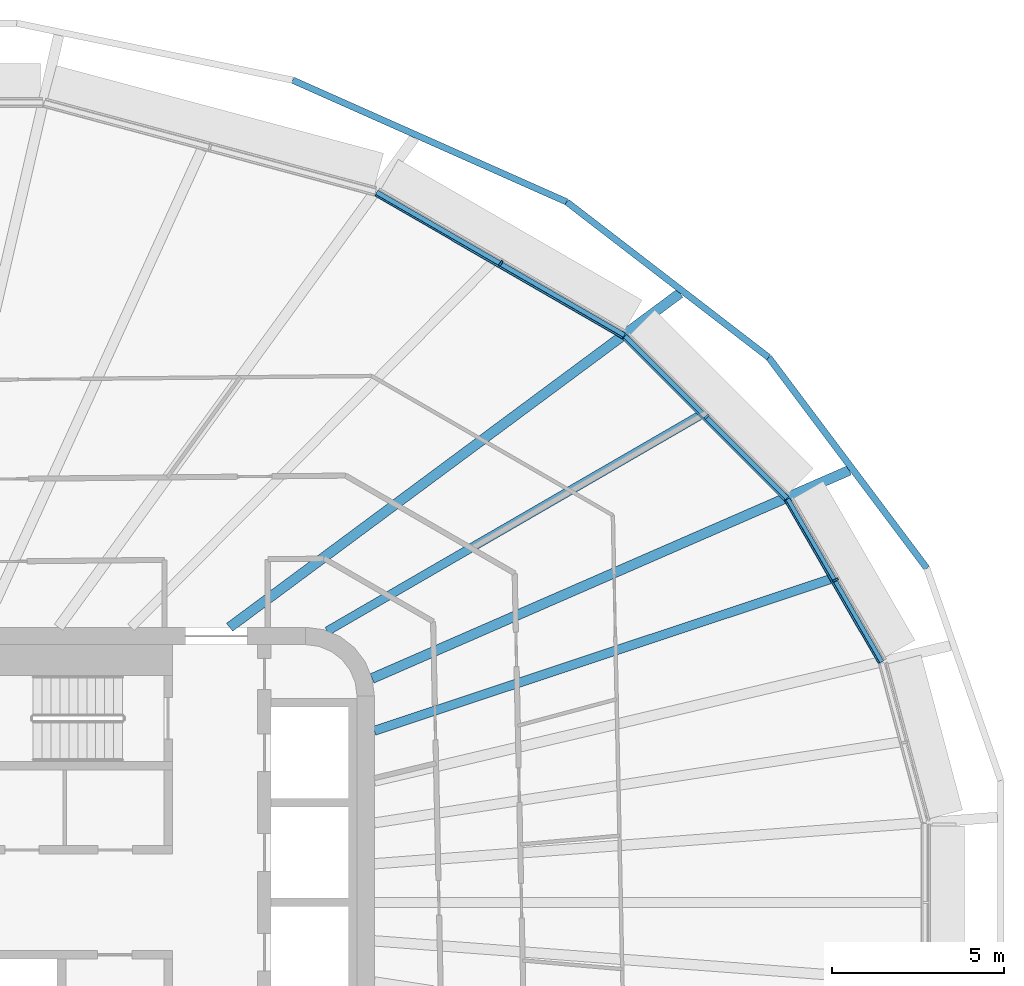
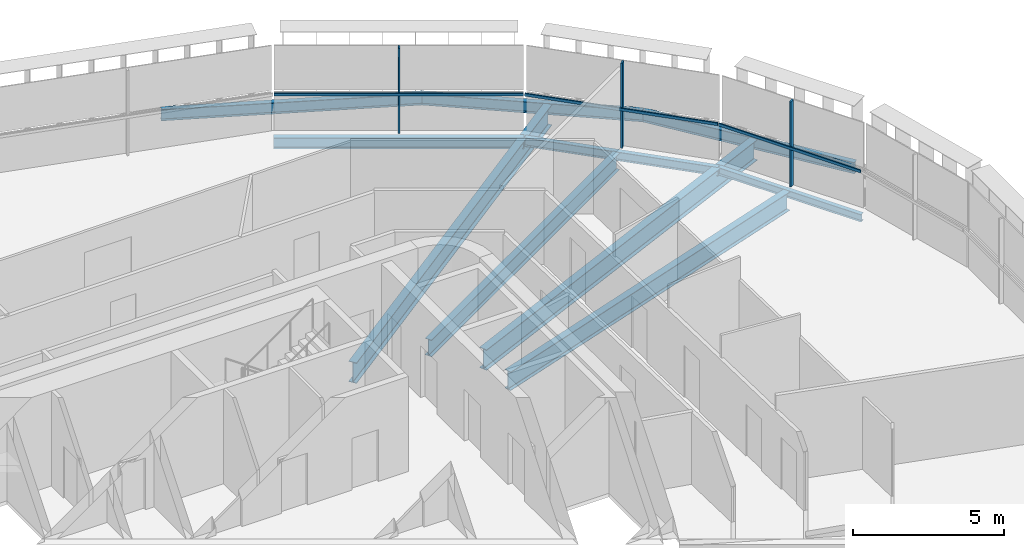
# One storey, part 7 of 23: 10 beams, 6 members, 3 elements without a shape of their own.
"""IFC4 building model written with IfcOpenShell, lengths in metres."""

from ifc_helpers import new_model, si_unit, direction, frame, origin, origin_2d, place, context, subcontext, project, spatial, rectangle, i_section, extrude, material, layer, layer_set, material_profile, profile_set, type_object, element, aggregate, save


model = new_model("IFC4")

# Units and contexts
model_context = context("Model", 3, precision=1e-05, world=origin(), true_north=direction((0.0, 1.0)))
body_context = subcontext(model_context, "Body", "Model", "MODEL_VIEW")
ifc_project = project(units=[si_unit("LENGTHUNIT", "METRE"), si_unit("AREAUNIT", "SQUARE_METRE"), si_unit("VOLUMEUNIT", "CUBIC_METRE"), si_unit("PLANEANGLEUNIT", "RADIAN"), si_unit("MASSUNIT", "GRAM", prefix="KILO")], contexts=[model_context])

# Site, building, storey
site_placement = place(None, origin())
site = spatial("IfcSite", under=ifc_project, at=site_placement, CompositionType="ELEMENT")
building_placement = place(site_placement, origin())
building = spatial("IfcBuilding", under=site, at=building_placement, Name="Sahrelin Media Tower", CompositionType="ELEMENT")
storey_placement = place(building_placement, frame((0.0, 0.0, 173.60009765625)))
storey = spatial("IfcBuildingStorey", under=building, at=storey_placement, Name="L36", CompositionType="ELEMENT", Elevation=173.60009765625)

# Beams
ifc_material_1 = material(Name="Steel S355", Category="steel")
ifc_material_profile_1 = material_profile(ifc_material_1, i_section(OverallWidth=0.1650390625, OverallDepth=0.303466796875, WebThickness=0.006103515625, FlangeThickness=0.01025390625, FilletRadius=0.0087890625, at=origin_2d()), Name="UB 305x165x40")
ifc_profile_set_1 = profile_set([ifc_material_profile_1], Name="Steel S355")
beam_type_1 = type_object("IfcBeamType", Name="Edge beam EB2", PredefinedType="BEAM", material=ifc_profile_set_1)
beam_1_placement = place(storey_placement, frame((27.007080078125, 11.720458984375, -0.3017578125), z_axis=(0.500022519152, -0.866012401956, 0.0), x_axis=(0.866012401956, 0.500022519152, 0.0)))
element("IfcBeam", 1, at=beam_1_placement, inside=storey, type_object=beam_type_1, Name="Edge beam L36-19", PredefinedType="BEAM", context=body_context, shape_type="SweptSolid", body=[
    extrude(i_section(OverallWidth=0.1650390625, OverallDepth=0.303466796875, WebThickness=0.006103515625, FlangeThickness=0.01025390625, FilletRadius=0.0087890625, at=origin_2d()), origin(), (0.0, 0.0, 1.0), 5.469970703125),
])
ifc_material_profile_2 = material_profile(ifc_material_1, i_section(OverallWidth=0.17138671875, OverallDepth=0.35498046875, WebThickness=0.00732421875, FlangeThickness=0.011474609375, FilletRadius=0.01025390625, at=origin_2d()), Name="UB 356x171x51")
ifc_profile_set_2 = profile_set([ifc_material_profile_2], Name="Steel S355")
beam_type_2 = type_object("IfcBeamType", Name="Edge beam EB3", PredefinedType="BEAM", material=ifc_profile_set_2)
beam_2_placement = place(storey_placement, frame((22.2802734375, 16.45263671875, -0.32763671875), z_axis=(0.707106781187, -0.707106781187, 0.0), x_axis=(0.707106781187, 0.707106781187, 0.0)))
element("IfcBeam", 2, at=beam_2_placement, inside=storey, type_object=beam_type_2, Name="Edge beam L36-18", PredefinedType="BEAM", context=body_context, shape_type="SweptSolid", body=[
    extrude(i_section(OverallWidth=0.17138671875, OverallDepth=0.35498046875, WebThickness=0.00732421875, FlangeThickness=0.011474609375, FilletRadius=0.01025390625, at=origin_2d()), origin(), (0.0, 0.0, 1.0), 6.659912109375),
])
ifc_material_profile_3 = material_profile(ifc_material_1, i_section(OverallWidth=0.1904296875, OverallDepth=0.45703125, WebThickness=0.009033203125, FlangeThickness=0.014404296875, FilletRadius=0.01025390625, at=origin_2d()), Name="UB 457x191x74")
ifc_profile_set_3 = profile_set([ifc_material_profile_3], Name="Steel S355")
beam_type_3 = type_object("IfcBeamType", Name="Edge beam EB5", PredefinedType="BEAM", material=ifc_profile_set_3)
beam_3_placement = place(storey_placement, frame((15.0546875, 20.628662109375, -0.378662109375), z_axis=(0.866025246697, -0.500000272083, 0.0), x_axis=(0.500000272083, 0.866025246697, 0.0)))
element("IfcBeam", 3, at=beam_3_placement, inside=storey, type_object=beam_type_3, Name="Edge beam L36-17", PredefinedType="BEAM", context=body_context, shape_type="SweptSolid", body=[
    extrude(i_section(OverallWidth=0.1904296875, OverallDepth=0.45703125, WebThickness=0.009033203125, FlangeThickness=0.014404296875, FilletRadius=0.01025390625, at=origin_2d()), origin(), (0.0, 0.0, 1.0), 8.31689453125),
])

# Curtain wall, member
ifc_material_2 = material(Name="Champagne anodised aluminium 6063-T6", Category="aluminium")
ifc_layer = layer(ifc_material_2, 0.14990234375)
ifc_layer_set = layer_set([ifc_layer], Name="Tower ribbon curtain wall")
curtain_wall_type = type_object("IfcCurtainWallType", Name="Tower ribbon curtain wall", PredefinedType="NOTDEFINED", material=ifc_layer_set)
curtain_wall_1_placement = place(storey_placement, frame((28.50439453125, 9.427001953125, 0.0), z_axis=(0.0, 0.0, 1.0), x_axis=(1.0, 0.0, 0.0)))
curtain_wall_1 = element("IfcCurtainWall", 4, at=curtain_wall_1_placement, inside=storey, type_object=curtain_wall_type, Name="L36:CW:L36-02", PredefinedType="NOTDEFINED")
ifc_material_profile_4 = material_profile(ifc_material_2, rectangle(XDim=0.06005859375, YDim=0.175048828125, at=origin_2d()), Name="Mullion 60x175")
ifc_profile_set_4 = profile_set([ifc_material_profile_4], Name="Champagne anodised aluminium 6063-T6")
member_type_1 = type_object("IfcMemberType", Name="Mullion 60x175 CW1B", PredefinedType="MULLION", material=ifc_profile_set_4)
member_1_placement = place(storey_placement, frame((28.411376953125, 9.373291015625, 0.0), z_axis=(0.0, 0.0, 1.0), x_axis=(-0.5, 0.866025403784, 0.0)))
member_1 = element("IfcMember", 5, at=member_1_placement, type_object=member_type_1, Name="L36:CWM:L36-02", PredefinedType="MULLION", context=body_context, shape_type="SweptSolid", body=[
    extrude(rectangle(XDim=0.06005859375, YDim=0.175048828125, at=origin_2d()), origin(), (0.0, 0.0, 1.0), 3.448486328125),
])

curtain_wall_2_placement = place(storey_placement, frame((24.740966796875, 14.2041015625, 0.0), z_axis=(0.0, 0.0, 1.0), x_axis=(1.0, 0.0, 0.0)))
curtain_wall_2 = element("IfcCurtainWall", 6, at=curtain_wall_2_placement, inside=storey, type_object=curtain_wall_type, Name="L36:CW:L36-03", PredefinedType="NOTDEFINED")
member_2_placement = place(storey_placement, frame((24.6650390625, 14.1279296875, 0.0), z_axis=(0.0, 0.0, 1.0), x_axis=(-0.707106781187, 0.707106781187, 0.0)))
member_2 = element("IfcMember", 7, at=member_2_placement, type_object=member_type_1, Name="L36:CWM:L36-03", PredefinedType="MULLION", context=body_context, shape_type="SweptSolid", body=[
    extrude(rectangle(XDim=0.06005859375, YDim=0.175048828125, at=origin_2d()), origin(), (0.0, 0.0, 1.0), 3.448486328125),
])

curtain_wall_3_placement = place(storey_placement, frame((18.73095703125, 18.67919921875, 0.0), z_axis=(0.0, 0.0, 1.0), x_axis=(1.0, 0.0, 0.0)))
curtain_wall_3 = element("IfcCurtainWall", 8, at=curtain_wall_3_placement, inside=storey, type_object=curtain_wall_type, Name="L36:CW:L36-04", PredefinedType="NOTDEFINED")
member_3_placement = place(storey_placement, frame((18.67724609375, 18.586181640625, 0.0), z_axis=(0.0, 0.0, 1.0), x_axis=(-0.866027149108, 0.499996976998, 0.0)))
member_3 = element("IfcMember", 9, at=member_3_placement, type_object=member_type_1, Name="L36:CWM:L36-04", PredefinedType="MULLION", context=body_context, shape_type="SweptSolid", body=[
    extrude(rectangle(XDim=0.06005859375, YDim=0.175048828125, at=origin_2d()), origin(), (0.0, 0.0, 1.0), 3.448486328125),
])

# Beams
ifc_material_profile_5 = material_profile(ifc_material_1, i_section(OverallWidth=0.291748046875, OverallDepth=0.8349609375, WebThickness=0.013916015625, FlangeThickness=0.018798828125, FilletRadius=0.017822265625, at=origin_2d()), Name="UB 838x292x176")
ifc_profile_set_5 = profile_set([ifc_material_profile_5], Name="Steel S355")
beam_type_4 = type_object("IfcBeamType", Name="Radial primary beam PB10", PredefinedType="BEAM", material=ifc_profile_set_5)
beam_4_placement = place(storey_placement, frame((14.932861328125, 6.510986328125, -0.567626953125), z_axis=(0.916643258443, 0.399706313124, 0.0), x_axis=(-0.399706313124, 0.916643258443, 0.0)))
element("IfcBeam", 10, at=beam_4_placement, inside=storey, type_object=beam_type_4, Name="Radial beam L36-03", PredefinedType="BEAM", context=body_context, shape_type="SweptSolid", body=[
    extrude(i_section(OverallWidth=0.291748046875, OverallDepth=0.8349609375, WebThickness=0.013916015625, FlangeThickness=0.018798828125, FilletRadius=0.017822265625, at=origin_2d()), origin(), (0.0, 0.0, 1.0), 15.142333984375),
])
beam_5_placement = place(storey_placement, frame((10.7880859375, 8.0, -0.567626953125), z_axis=(0.803237803341, 0.595658485446, 0.0), x_axis=(-0.595658485446, 0.803237803341, 0.0)))
element("IfcBeam", 11, at=beam_5_placement, inside=storey, type_object=beam_type_4, Name="Radial beam L36-04", PredefinedType="BEAM", context=body_context, shape_type="SweptSolid", body=[
    extrude(i_section(OverallWidth=0.291748046875, OverallDepth=0.8349609375, WebThickness=0.013916015625, FlangeThickness=0.018798828125, FilletRadius=0.017822265625, at=origin_2d()), origin(), (0.0, 0.0, 1.0), 16.309326171875),
])
ifc_material_profile_6 = material_profile(ifc_material_1, i_section(OverallWidth=0.2529296875, OverallDepth=0.677978515625, WebThickness=0.01171875, FlangeThickness=0.01611328125, FilletRadius=0.01513671875, at=origin_2d()), Name="UB 686x254x125")
ifc_profile_set_6 = profile_set([ifc_material_profile_6], Name="Steel S355")
beam_type_5 = type_object("IfcBeamType", Name="Radial secondary beam SB8", PredefinedType="BEAM", material=ifc_profile_set_6)
beam_6_placement = place(storey_placement, frame((13.627197265625, 7.886474609375, -0.489013671875), z_axis=(0.865516660441, 0.500880135859, 0.0), x_axis=(-0.500880135859, 0.865516660441, 0.0)))
element("IfcBeam", 12, at=beam_6_placement, inside=storey, type_object=beam_type_5, Name="Secondary beam L36-03", PredefinedType="BEAM", context=body_context, shape_type="SweptSolid", body=[
    extrude(i_section(OverallWidth=0.2529296875, OverallDepth=0.677978515625, WebThickness=0.01171875, FlangeThickness=0.01611328125, FilletRadius=0.01513671875, at=origin_2d()), origin(), (0.0, 0.0, 1.0), 12.51318359375),
])
ifc_material_profile_7 = material_profile(ifc_material_1, i_section(OverallWidth=0.26513671875, OverallDepth=0.75390625, WebThickness=0.0126953125, FlangeThickness=0.017578125, FilletRadius=0.0166015625, at=origin_2d()), Name="UB 762x267x147")
ifc_profile_set_7 = profile_set([ifc_material_profile_7], Name="Steel S355")
beam_type_6 = type_object("IfcBeamType", Name="Radial secondary beam SB9", PredefinedType="BEAM", material=ifc_profile_set_7)
beam_7_placement = place(storey_placement, frame((15.0, 4.98876953125, -0.527099609375), z_axis=(0.948901563502, 0.315572214848, 0.0), x_axis=(-0.315572214848, 0.948901563502, 0.0)))
element("IfcBeam", 13, at=beam_7_placement, inside=storey, type_object=beam_type_6, Name="Secondary beam L36-02", PredefinedType="BEAM", context=body_context, shape_type="SweptSolid", body=[
    extrude(i_section(OverallWidth=0.26513671875, OverallDepth=0.75390625, WebThickness=0.0126953125, FlangeThickness=0.017578125, FilletRadius=0.0166015625, at=origin_2d()), origin(), (0.0, 0.0, 1.0), 13.96728515625),
])
ifc_material_profile_8 = material_profile(ifc_material_1, i_section(OverallWidth=0.1904296875, OverallDepth=0.45703125, WebThickness=0.009033203125, FlangeThickness=0.014404296875, FilletRadius=0.01025390625, at=origin_2d()), Name="UB 457x191x74")
ifc_profile_set_8 = profile_set([ifc_material_profile_8], Name="Steel S355")
beam_type_7 = type_object("IfcBeamType", Name="Tie chord TC5", PredefinedType="BEAM", material=ifc_profile_set_8)
beam_8_placement = place(storey_placement, frame((31.067626953125, 9.71630859375, -0.378662109375), z_axis=(-0.600035657065, 0.79997325596, 0.0), x_axis=(-0.79997325596, -0.600035657065, 0.0)))
element("IfcBeam", 14, at=beam_8_placement, inside=storey, type_object=beam_type_7, Name="Tie chord L36-02", PredefinedType="BEAM", context=body_context, shape_type="SweptSolid", body=[
    extrude(i_section(OverallWidth=0.1904296875, OverallDepth=0.45703125, WebThickness=0.009033203125, FlangeThickness=0.014404296875, FilletRadius=0.01025390625, at=origin_2d()), origin(), (0.0, 0.0, 1.0), 7.66845703125),
])
beam_9_placement = place(storey_placement, frame((26.46630859375, 15.850830078125, -0.378662109375), z_axis=(-0.792434124871, 0.609957504864, 0.0), x_axis=(-0.609957504864, -0.792434124871, 0.0)))
element("IfcBeam", 15, at=beam_9_placement, inside=storey, type_object=beam_type_7, Name="Tie chord L36-03", PredefinedType="BEAM", context=body_context, shape_type="SweptSolid", body=[
    extrude(i_section(OverallWidth=0.1904296875, OverallDepth=0.45703125, WebThickness=0.009033203125, FlangeThickness=0.014404296875, FilletRadius=0.01025390625, at=origin_2d()), origin(), (0.0, 0.0, 1.0), 7.410888671875),
])
beam_10_placement = place(storey_placement, frame((20.59375, 20.37109375, -0.378662109375), z_axis=(-0.913835787725, 0.406083923682, 0.0), x_axis=(-0.406083923682, -0.913835787725, 0.0)))
element("IfcBeam", 16, at=beam_10_placement, inside=storey, type_object=beam_type_7, Name="Tie chord L36-04", PredefinedType="BEAM", context=body_context, shape_type="SweptSolid", body=[
    extrude(i_section(OverallWidth=0.1904296875, OverallDepth=0.45703125, WebThickness=0.009033203125, FlangeThickness=0.014404296875, FilletRadius=0.01025390625, at=origin_2d()), origin(), (0.0, 0.0, 1.0), 8.7216796875),
])

# Member
ifc_material_profile_9 = material_profile(ifc_material_2, rectangle(XDim=0.050048828125, YDim=0.110107421875, at=origin_2d()), Name="Transom 50x110")
ifc_profile_set_9 = profile_set([ifc_material_profile_9], Name="Champagne anodised aluminium 6063-T6")
member_type_2 = type_object("IfcMemberType", Name="Transom 50x110 CW1B", PredefinedType="USERDEFINED", material=ifc_profile_set_9)
member_4_placement = place(storey_placement, frame((29.673583984375, 6.9619140625, 1.599853515625), z_axis=(-0.499991872758, 0.866030095999, 0.0), x_axis=(-0.866030095999, -0.499991872758, 0.0)))
member_4 = element("IfcMember", 17, at=member_4_placement, type_object=member_type_2, Name="L36:CWT:L36-02", ObjectType="TRANSOM", PredefinedType="USERDEFINED", context=body_context, shape_type="SweptSolid", body=[
    extrude(rectangle(XDim=0.050048828125, YDim=0.110107421875, at=origin_2d()), origin(), (0.0, 0.0, 1.0), 5.4384765625),
])

aggregate(curtain_wall_1, [member_1, member_4])

member_5_placement = place(storey_placement, frame((26.928955078125, 11.704833984375, 1.599853515625), z_axis=(-0.707088365269, 0.707125196625, 0.0), x_axis=(-0.707125196625, -0.707088365269, 0.0)))
member_5 = element("IfcMember", 18, at=member_5_placement, type_object=member_type_2, Name="L36:CWT:L36-03", ObjectType="TRANSOM", PredefinedType="USERDEFINED", context=body_context, shape_type="SweptSolid", body=[
    extrude(rectangle(XDim=0.050048828125, YDim=0.110107421875, at=origin_2d()), origin(), (0.0, 0.0, 1.0), 6.628662109375),
])

aggregate(curtain_wall_2, [member_2, member_5])

member_6_placement = place(storey_placement, frame((22.208740234375, 16.41748046875, 1.599853515625), z_axis=(-0.866024150361, 0.500002170987, 0.0), x_axis=(-0.500002170987, -0.866024150361, 0.0)))
member_6 = element("IfcMember", 19, at=member_6_placement, type_object=member_type_2, Name="L36:CWT:L36-04", ObjectType="TRANSOM", PredefinedType="USERDEFINED", context=body_context, shape_type="SweptSolid", body=[
    extrude(rectangle(XDim=0.050048828125, YDim=0.110107421875, at=origin_2d()), origin(), (0.0, 0.0, 1.0), 8.28564453125),
])

aggregate(curtain_wall_3, [member_3, member_6])

save(model, "model.ifc")
